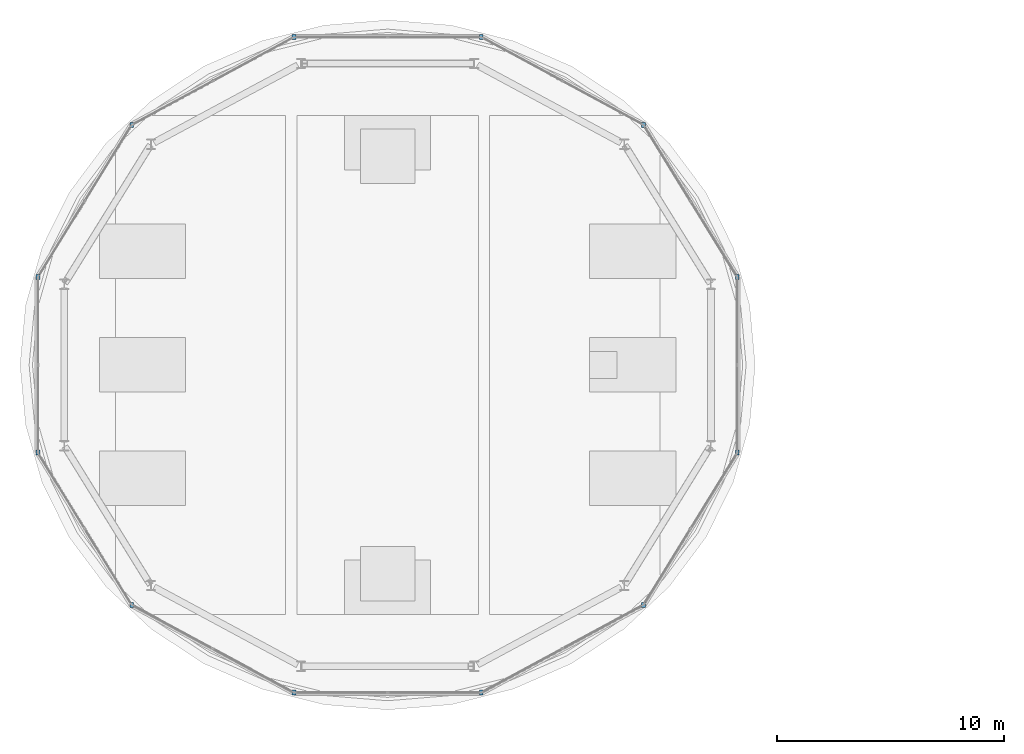
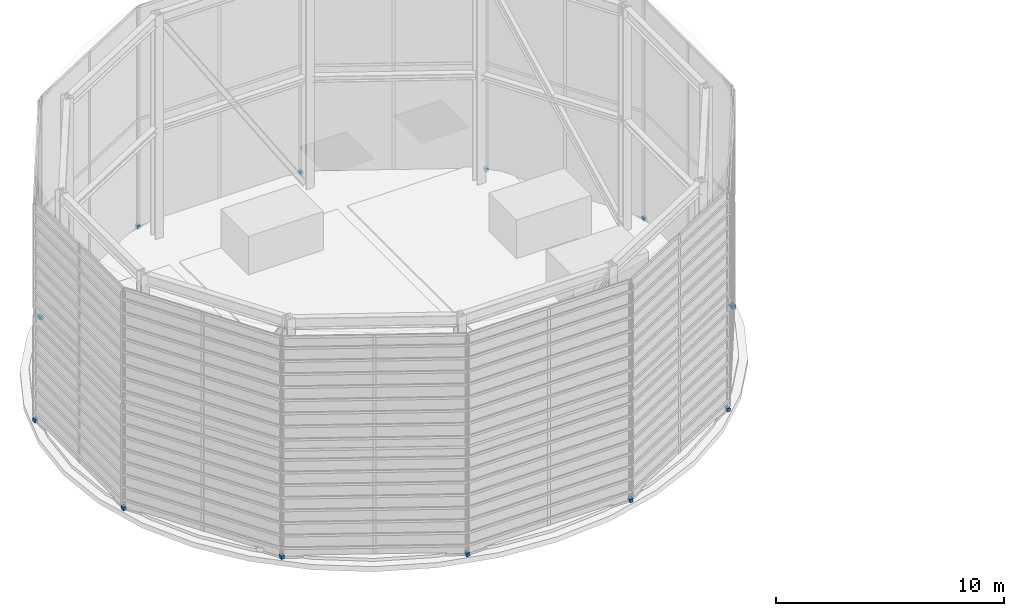
# One storey, part 13 of 17: 12 discrete accessories.
"""IFC4 building model written with IfcOpenShell, lengths in metres."""

import ifcopenshell
import ifcopenshell.guid

model = None  # the IFC model being written
_history = None  # IfcOwnerHistory: only IFC2X3 demands one
_inside = {}  # id of a spatial element -> (the spatial element, [elements in it])
_under = {}  # id of a project, library or spatial element -> (it, [spatial elements below it])
_declared = {}  # id of a project -> (the project, [libraries it declares])
_typed = {}  # id of a type object -> (the type object, [elements of that type])
_made_of = {}  # id of a material, layer set ... -> (it, [elements and type objects made of it])


def new_model(schema):
    """Start an empty IFC model of exactly this schema.

    Asked for "IFC4X3", IfcOpenShell would pick the latest addendum, in which some entities
    have other attributes; the version numbers below select the first issue.
    IFC2X3 requires an IfcOwnerHistory on every rooted entity: one is made here for all.
    """
    global model, _history
    if schema == "IFC4X3":
        model = ifcopenshell.file(schema_version=(4, 3, 0, 0))
    else:
        model = ifcopenshell.file(schema=schema)
    _inside.clear()
    _under.clear()
    _declared.clear()
    _typed.clear()
    _made_of.clear()
    _history = None
    if model.schema == "IFC2X3":
        org = make("IfcOrganization", Name="unknown")
        user = make(
            "IfcPersonAndOrganization",
            ThePerson=make("IfcPerson", FamilyName="unknown"),
            TheOrganization=org,
        )
        app = make(
            "IfcApplication",
            ApplicationDeveloper=org,
            Version="unknown",
            ApplicationFullName="unknown",
            ApplicationIdentifier="unknown",
        )
        _history = make(
            "IfcOwnerHistory",
            OwningUser=user,
            OwningApplication=app,
            ChangeAction="ADDED",
            CreationDate=0,
        )
    return model


def make(cls, **values):
    """One entity of the class cls with the attributes given. An attribute that is None is left unset."""
    return model.create_entity(
        cls, **{name: value for name, value in values.items() if value is not None}
    )


def rooted(cls, **values):
    """An entity with a GlobalId (a new one), such as an element, a storey or a relation."""
    return make(cls, GlobalId=ifcopenshell.guid.new(), OwnerHistory=_history, **values)


def si_unit(unit_type, name, prefix=None):
    """IfcSIUnit, for example si_unit("LENGTHUNIT", "METRE", prefix="MILLI")."""
    return make("IfcSIUnit", UnitType=unit_type, Prefix=prefix, Name=name)


def assignment(units):
    """IfcUnitAssignment: the units of a project."""
    return None if units is None else make("IfcUnitAssignment", Units=units)


def point(xyz):
    """IfcCartesianPoint."""
    return None if xyz is None else make("IfcCartesianPoint", Coordinates=xyz)


def direction(xyz):
    """IfcDirection."""
    return None if xyz is None else make("IfcDirection", DirectionRatios=xyz)


def frame(location, z_axis=None, x_axis=None):
    """IfcAxis2Placement3D, a coordinate frame: its origin and axes. An axis left out is left unset."""
    return make(
        "IfcAxis2Placement3D",
        Location=point(location),
        Axis=direction(z_axis),
        RefDirection=direction(x_axis),
    )


def frame_2d(location, x_axis=None):
    """IfcAxis2Placement2D, a coordinate frame in the plane: its origin and x axis."""
    return make(
        "IfcAxis2Placement2D", Location=point(location), RefDirection=direction(x_axis)
    )


def origin():
    """The frame at (0, 0, 0) with its axes left unset."""
    return frame((0.0, 0.0, 0.0))


def origin_2d():
    """The frame at (0, 0) in the plane with its x axis left unset."""
    return frame_2d((0.0, 0.0))


def place(relative_to, where):
    """IfcLocalPlacement: puts the frame where relative to a parent placement (None: the world)."""
    return make(
        "IfcLocalPlacement", PlacementRelTo=relative_to, RelativePlacement=where
    )


def context(
    kind, dimensions, precision=None, world=None, true_north=None, identifier=None
):
    """IfcGeometricRepresentationContext, for example the 3D "Model" context."""
    return make(
        "IfcGeometricRepresentationContext",
        ContextIdentifier=identifier,
        ContextType=kind,
        CoordinateSpaceDimension=dimensions,
        Precision=precision,
        WorldCoordinateSystem=world,
        TrueNorth=true_north,
    )


def subcontext(parent, identifier, kind, view, scale=None):
    """IfcGeometricRepresentationSubContext, for example "Body" below "Model"."""
    return make(
        "IfcGeometricRepresentationSubContext",
        ContextIdentifier=identifier,
        ContextType=kind,
        ParentContext=parent,
        TargetScale=scale,
        TargetView=view,
    )


def project(units=None, contexts=None):
    """IfcProject with its units and contexts."""
    return rooted(
        "IfcProject",
        Name="project",
        RepresentationContexts=contexts,
        UnitsInContext=assignment(units),
    )


def spatial(cls, under=None, at=None, **own):
    """A site, building, storey or space (cls), placed at a placement, below another one or the project."""
    s = rooted(cls, ObjectPlacement=at, **own)
    if under is not None:
        _under.setdefault(under.id(), (under, []))[1].append(s)
    return s


def profile(cls, at=None, kind="AREA", **sizes):
    """A parametric profile (cls). Its sizes go by their IFC names, for example OverallWidth=200.0."""
    return make(cls, ProfileType=kind, Position=at, **sizes)


def rectangle(**sizes):
    """IfcRectangleProfileDef."""
    return profile("IfcRectangleProfileDef", **sizes)


def extrude(swept, where, along, depth):
    """IfcExtrudedAreaSolid: the profile swept, set in the frame where, extruded along a direction by depth."""
    return make(
        "IfcExtrudedAreaSolid",
        SweptArea=swept,
        Position=where,
        ExtrudedDirection=direction(along),
        Depth=depth,
    )


def shape(context_of_items, identifier, shape_type, items):
    """IfcShapeRepresentation: the items that make up one representation, for example the "Body"."""
    return make(
        "IfcShapeRepresentation",
        ContextOfItems=context_of_items,
        RepresentationIdentifier=identifier,
        RepresentationType=shape_type,
        Items=items,
    )


def source(mapping_origin, context_of_items, identifier, shape_type, items):
    """IfcRepresentationMap: a shape defined once, which mapped items show again and again."""
    return make(
        "IfcRepresentationMap",
        MappingOrigin=mapping_origin,
        MappedRepresentation=shape(context_of_items, identifier, shape_type, items),
    )


def transform(
    local_origin,
    x_axis=None,
    y_axis=None,
    z_axis=None,
    scale=None,
    scale2=None,
    scale3=None,
    uniform=True,
):
    """IfcCartesianTransformationOperator3D, or its non-uniform kind. x_axis, y_axis, z_axis: its Axis1, 2, 3."""
    if uniform:
        return make(
            "IfcCartesianTransformationOperator3D",
            Axis1=direction(x_axis),
            Axis2=direction(y_axis),
            LocalOrigin=point(local_origin),
            Scale=scale,
            Axis3=direction(z_axis),
        )
    return make(
        "IfcCartesianTransformationOperator3DnonUniform",
        Axis1=direction(x_axis),
        Axis2=direction(y_axis),
        LocalOrigin=point(local_origin),
        Scale=scale,
        Axis3=direction(z_axis),
        Scale2=scale2,
        Scale3=scale3,
    )


def mapped(mapping_source, mapping_target):
    """IfcMappedItem: shows the shape of a source again, moved by a transform."""
    return make(
        "IfcMappedItem", MappingSource=mapping_source, MappingTarget=mapping_target
    )


def material(Name=None, Category=None):
    """IfcMaterial."""
    return make("IfcMaterial", Name=Name, Category=Category)


def made_of(thing, what):
    """Note that an element or type object is made of a material, layer set ...; save() writes the relation."""
    if what is not None:
        _made_of.setdefault(what.id(), (what, []))[1].append(thing)
    return thing


def type_object(cls, material=None, **own):
    """A type object (cls), such as IfcWallType, which elements share."""
    return made_of(rooted(cls, **own), material)


def type_shapes(of_type, sources):
    """Give a type object the sources (RepresentationMaps) that its elements show as mapped items."""
    of_type.RepresentationMaps = sources


def element(
    cls,
    number,
    at=None,
    inside=None,
    cuts=None,
    type_object=None,
    material=None,
    context=None,
    identifier="Body",
    shape_type=None,
    held_by="IfcProductDefinitionShape",
    body=None,
    shapes=None,
    **own,
):
    """One element of the class cls, such as IfcWall. Its Tag is "e" and its number.

    at: its placement. inside: the storey or other place that contains it. cuts: it is an
    opening in that element (IfcRelVoidsElement). A single representation is given by context,
    identifier, shape_type and body (its items); several are given by shapes. held_by: the class
    of the entity that holds the representations. save() writes the other relations.
    """
    e = rooted(cls, Tag="e%d" % number, ObjectPlacement=at, **own)
    if body is not None:
        shapes = [shape(context, identifier, shape_type, body)]
    if shapes is not None:
        e.Representation = make(held_by, Representations=shapes)
    if inside is not None:
        _inside.setdefault(inside.id(), (inside, []))[1].append(e)
    if cuts is not None:
        rooted(
            "IfcRelVoidsElement", RelatingBuildingElement=cuts, RelatedOpeningElement=e
        )
    if type_object is not None:
        _typed.setdefault(type_object.id(), (type_object, []))[1].append(e)
    return made_of(e, material)


def aggregate(whole, parts):
    """IfcRelAggregates: a whole, such as a stair, and the parts it consists of."""
    return rooted("IfcRelAggregates", RelatingObject=whole, RelatedObjects=parts)


def save(model, path):
    """Write the relations noted so far, then the file.

    IfcRelAggregates (storeys below a building ...), IfcRelContainedInSpatialStructure (elements
    in a storey), IfcRelDefinesByType, IfcRelAssociatesMaterial and IfcRelDeclares: one each for
    every whole, place, type object, material and project.
    """
    for whole, parts in _under.values():
        aggregate(whole, parts)
    for where, things in _inside.values():
        rooted(
            "IfcRelContainedInSpatialStructure",
            RelatedElements=things,
            RelatingStructure=where,
        )
    for kind, things in _typed.values():
        rooted("IfcRelDefinesByType", RelatedObjects=things, RelatingType=kind)
    for what, things in _made_of.values():
        rooted("IfcRelAssociatesMaterial", RelatedObjects=things, RelatingMaterial=what)
    for by, libraries in _declared.values():
        rooted("IfcRelDeclares", RelatingContext=by, RelatedDefinitions=libraries)
    model.write(path)


model = new_model("IFC4")

# Units and contexts
model_context = context("Model", 3, precision=1e-05, world=origin(), true_north=direction((0.0, 1.0)))
body_context = subcontext(model_context, "Body", "Model", "MODEL_VIEW")
ifc_project = project(units=[si_unit("LENGTHUNIT", "METRE"), si_unit("AREAUNIT", "SQUARE_METRE"), si_unit("VOLUMEUNIT", "CUBIC_METRE"), si_unit("PLANEANGLEUNIT", "RADIAN"), si_unit("MASSUNIT", "GRAM", prefix="KILO")], contexts=[model_context])

# Site, building, storey
site_placement = place(None, origin())
site = spatial("IfcSite", under=ifc_project, at=site_placement, CompositionType="ELEMENT")
building_placement = place(site_placement, origin())
building = spatial("IfcBuilding", under=site, at=building_placement, Name="Norrkilde Senior Care Towers", CompositionType="ELEMENT")
storey_placement = place(building_placement, frame((0.0, 0.0, 249.85009765625)))
storey = spatial("IfcBuildingStorey", under=building, at=storey_placement, Name="RF", CompositionType="ELEMENT", Elevation=249.85009765625)

# Discrete accessories
ifc_material = material(Name="Steel S355", Category="steel")
discrete_accessory_type = type_object("IfcDiscreteAccessoryType", Name="Facade Support Bracket", PredefinedType="BRACKET", material=ifc_material)
shared_shape = source(origin(), body_context, "Body", "SweptSolid", [
    extrude(rectangle(XDim=0.159912109375, YDim=0.219970703125, at=origin_2d()), origin(), (0.0, 0.0, 1.0), 0.179931640625),
])
type_shapes(discrete_accessory_type, [shared_shape])
for number, where, z_axis, x_axis, name in (
    (1, (-12.593505859375, 3.869384765625, 0.0), (0.0, 0.0, 1.0), (1.0, 0.0, 0.0), "RF Crown Screen Support Bracket W-00"),
    (2, (-16.7216796875, 10.5712890625, 0.0), (0.0, 0.0, 1.0), (1.0, 0.0, 0.0), "RF Crown Screen Support Bracket W-01"),
    (3, (-23.871826171875, 14.440673828125, 0.0), (0.0, 0.0, 1.0), (1.0, 0.0, 0.0), "RF Crown Screen Support Bracket W-02"),
    (4, (-32.128173828125, 14.440673828125, 0.0), (0.0, 0.0, 1.0), (1.0, 0.0, 0.0), "RF Crown Screen Support Bracket W-03"),
    (5, (-39.2783203125, 10.5712890625, 0.0), (0.0, 0.0, 1.0), (1.0, 0.0, 0.0), "RF Crown Screen Support Bracket W-04"),
    (6, (-43.406494140625, 3.869384765625, 0.0), (0.0, 0.0, 1.0), (1.0, 0.0, 0.0), "RF Crown Screen Support Bracket W-05"),
    (7, (-43.406494140625, -3.869384765625, 0.0), (0.0, 0.0, 1.0), (1.0, 0.0, 0.0), "RF Crown Screen Support Bracket W-06"),
    (8, (-39.2783203125, -10.5712890625, 0.0), (0.0, 0.0, 1.0), (1.0, 0.0, 0.0), "RF Crown Screen Support Bracket W-07"),
    (9, (-32.128173828125, -14.440673828125, 0.0), (0.0, 0.0, 1.0), (1.0, 0.0, 0.0), "RF Crown Screen Support Bracket W-08"),
    (10, (-23.871826171875, -14.440673828125, 0.0), (0.0, 0.0, 1.0), (1.0, 0.0, 0.0), "RF Crown Screen Support Bracket W-09"),
    (11, (-16.7216796875, -10.5712890625, 0.0), (0.0, 0.0, 1.0), (1.0, 0.0, 0.0), "RF Crown Screen Support Bracket W-10"),
    (12, (-12.593505859375, -3.869384765625, 0.0), (0.0, 0.0, 1.0), (1.0, 0.0, 0.0), "RF Crown Screen Support Bracket W-11"),
):
    element("IfcDiscreteAccessory", number, at=place(storey_placement, frame(where, z_axis=z_axis, x_axis=x_axis)), inside=storey, type_object=discrete_accessory_type, Name=name, PredefinedType="BRACKET", context=body_context, shape_type="MappedRepresentation", body=[
        mapped(shared_shape, transform((0.0, 0.0, 0.0), x_axis=(1.0, 0.0, 0.0), y_axis=(0.0, 1.0, 0.0), z_axis=(0.0, 0.0, 1.0), scale=1.0)),
    ])

save(model, "model.ifc")
